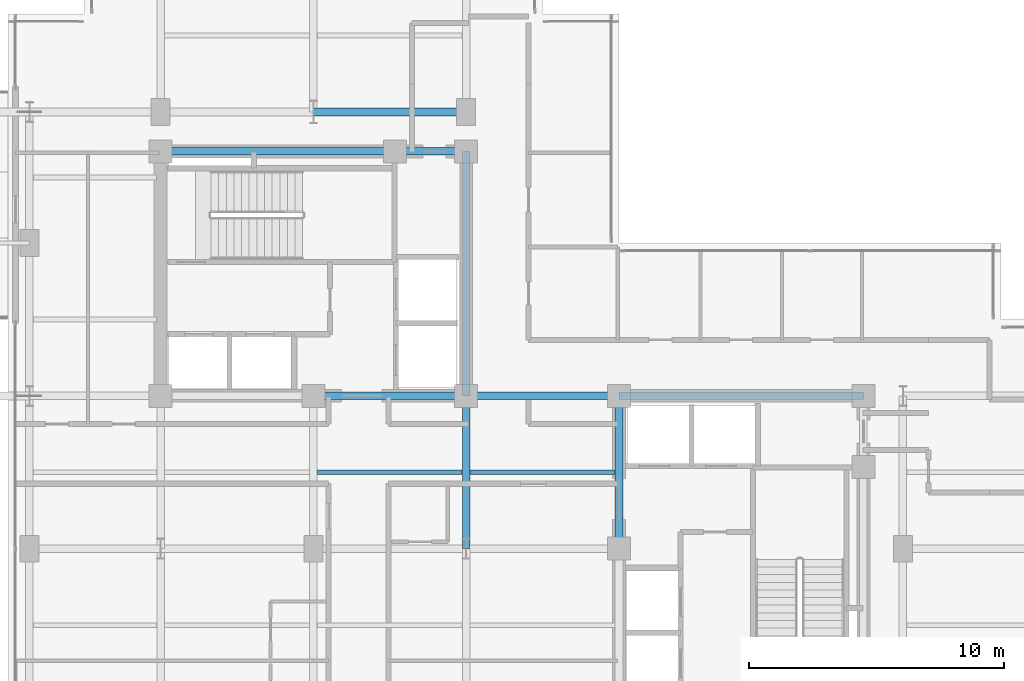
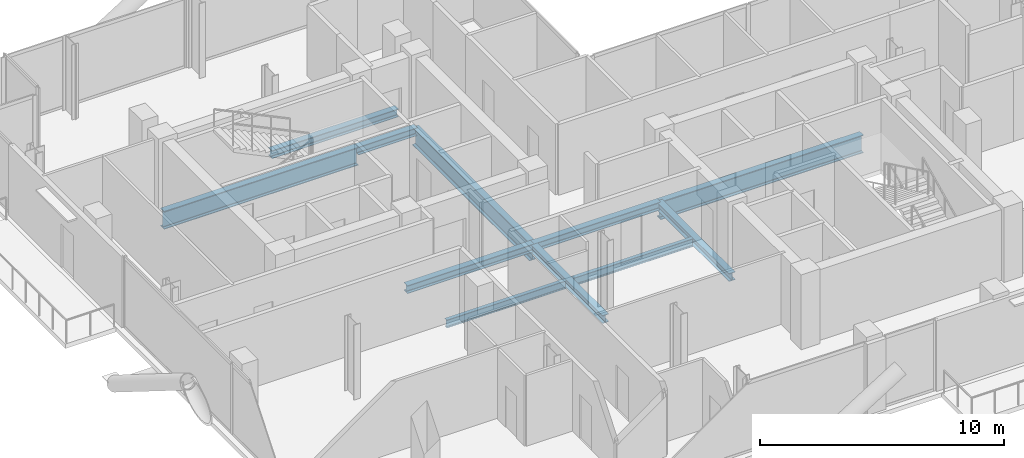
# One storey, part 9 of 25: 11 beams.
"""IFC4 building model written with IfcOpenShell, lengths in metres."""

from ifc_helpers import new_model, si_unit, direction, frame, origin, origin_2d, place, context, subcontext, project, spatial, i_section, extrude, material, material_profile, profile_set, type_object, element, save


model = new_model("IFC4")

# Units and contexts
model_context = context("Model", 3, precision=1e-05, world=origin(), true_north=direction((0.0, 1.0)))
body_context = subcontext(model_context, "Body", "Model", "MODEL_VIEW")
ifc_project = project(units=[si_unit("LENGTHUNIT", "METRE"), si_unit("AREAUNIT", "SQUARE_METRE"), si_unit("VOLUMEUNIT", "CUBIC_METRE"), si_unit("PLANEANGLEUNIT", "RADIAN"), si_unit("MASSUNIT", "GRAM", prefix="KILO"), si_unit("THERMODYNAMICTEMPERATUREUNIT", "KELVIN"), si_unit("POWERUNIT", "WATT")], contexts=[model_context])

# Site, building, storey
site_placement = place(None, origin())
site = spatial("IfcSite", under=ifc_project, at=site_placement, CompositionType="ELEMENT")
building_placement = place(site_placement, origin())
building = spatial("IfcBuilding", under=site, at=building_placement, Name="Svarakhadi Broadcast Tower", CompositionType="ELEMENT")
storey_placement = place(building_placement, frame((0.0, 0.0, 212.39990234375)))
storey = spatial("IfcBuildingStorey", under=building, at=storey_placement, Name="L52", CompositionType="ELEMENT", Elevation=212.39990234375)

# Beams
ifc_material_1 = material(Name="Steel S355J2 (IS 2062 E350C)", Category="steel")
ifc_material_profile_1 = material_profile(ifc_material_1, i_section(OverallWidth=0.179931640625, OverallDepth=0.39990234375, WebThickness=0.008544921875, FlangeThickness=0.013427734375, FilletRadius=0.02099609375, at=origin_2d()), Name="NPB 400x180x66")
ifc_profile_set_1 = profile_set([ifc_material_profile_1], Name="Steel S355J2 (IS 2062 E350C)")
beam_type_1 = type_object("IfcBeamType", Name="Beam_NPB400", PredefinedType="BEAM", material=ifc_profile_set_1)
for number, where, z_axis, x_axis, name in (
    (1, (12.159912109375, 15.0, -0.409912109375), (1.0, 0.0, 0.0), (0.0, 1.0, 0.0), "L52 Secondary Composite Beam SB011"),
    (2, (18.159912109375, 15.0, -0.409912109375), (1.0, 0.0, 0.0), (0.0, 1.0, 0.0), "L52 Secondary Composite Beam SB015"),
):
    element("IfcBeam", number, at=place(storey_placement, frame(where, z_axis=z_axis, x_axis=x_axis)), inside=storey, type_object=beam_type_1, Name=name, PredefinedType="BEAM", context=body_context, shape_type="SweptSolid", body=[
        extrude(i_section(OverallWidth=0.179931640625, OverallDepth=0.39990234375, WebThickness=0.008544921875, FlangeThickness=0.013427734375, FilletRadius=0.02099609375, at=origin_2d()), origin(), (0.0, 0.0, 1.0), 5.68017578125),
    ])
ifc_material_profile_2 = material_profile(ifc_material_1, i_section(OverallWidth=0.300048828125, OverallDepth=0.39990234375, WebThickness=0.013427734375, FlangeThickness=0.02392578125, FilletRadius=0.027099609375, at=origin_2d()), Name="WPB 400x300x155")
ifc_profile_set_2 = profile_set([ifc_material_profile_2], Name="Steel S355J2 (IS 2062 E350C)")
beam_type_2 = type_object("IfcBeamType", Name="Girder_WPB400", PredefinedType="USERDEFINED", material=ifc_profile_set_2)
for number, where, z_axis, x_axis, name in (
    (3, (12.0, 18.0, -0.409912109375), (1.0, 0.0, 0.0), (0.0, 1.0, 0.0), "L52 Primary E-W Girder G022"),
    (4, (18.0, 18.0, -0.409912109375), (1.0, 0.0, 0.0), (0.0, 1.0, 0.0), "L52 Primary E-W Girder G023"),
):
    element("IfcBeam", number, at=place(storey_placement, frame(where, z_axis=z_axis, x_axis=x_axis)), inside=storey, type_object=beam_type_2, Name=name, ObjectType="GIRDER", PredefinedType="USERDEFINED", context=body_context, shape_type="SweptSolid", body=[
        extrude(i_section(OverallWidth=0.300048828125, OverallDepth=0.39990234375, WebThickness=0.013427734375, FlangeThickness=0.02392578125, FilletRadius=0.027099609375, at=origin_2d()), origin(), (0.0, 0.0, 1.0), 6.0),
    ])
beam_1_placement = place(storey_placement, frame((15.199951171875, 27.60009765625, -0.409912109375), z_axis=(1.0, 0.0, 0.0), x_axis=(0.0, 1.0, 0.0)))
element("IfcBeam", 5, at=beam_1_placement, inside=storey, type_object=beam_type_2, Name="L52 Primary E-W Girder G027", ObjectType="GIRDER", PredefinedType="USERDEFINED", context=body_context, shape_type="SweptSolid", body=[
    extrude(i_section(OverallWidth=0.300048828125, OverallDepth=0.39990234375, WebThickness=0.013427734375, FlangeThickness=0.02392578125, FilletRadius=0.027099609375, at=origin_2d()), origin(), (0.0, 0.0, 1.0), 2.800048828125),
])
for number, where, z_axis, x_axis, name in (
    (6, (12.0, 29.14990234375, -0.409912109375), (1.0, 0.0, 0.0), (0.0, 1.0, 0.0), "L52 Primary E-W Girder G030"),
    (7, (18.0, 12.0, -0.409912109375), (0.0, 1.0, 0.0), (-1.0, 0.0, 0.0), "L52 Primary N-S Girder G048"),
    (8, (24.0, 12.0, -0.409912109375), (0.0, 1.0, 0.0), (-1.0, 0.0, 0.0), "L52 Primary N-S Girder G053"),
):
    element("IfcBeam", number, at=place(storey_placement, frame(where, z_axis=z_axis, x_axis=x_axis)), inside=storey, type_object=beam_type_2, Name=name, ObjectType="GIRDER", PredefinedType="USERDEFINED", context=body_context, shape_type="SweptSolid", body=[
        extrude(i_section(OverallWidth=0.300048828125, OverallDepth=0.39990234375, WebThickness=0.013427734375, FlangeThickness=0.02392578125, FilletRadius=0.027099609375, at=origin_2d()), origin(), (0.0, 0.0, 1.0), 6.0),
    ])
ifc_material_2 = material(Name="Steel S460ML (IS 2062 E450BR)", Category="steel")
ifc_material_profile_3 = material_profile(ifc_material_2, i_section(OverallWidth=0.300048828125, OverallDepth=0.89990234375, WebThickness=0.0185546875, FlangeThickness=0.034912109375, FilletRadius=0.030029296875, at=origin_2d()), Name="WPB 900x300x291")
ifc_profile_set_3 = profile_set([ifc_material_profile_3], Name="Steel S460ML (IS 2062 E450BR)")
beam_type_3 = type_object("IfcBeamType", Name="Girder_WPB900", PredefinedType="USERDEFINED", material=ifc_profile_set_3)
beam_2_placement = place(storey_placement, frame((24.0, 18.0, -0.659912109375), z_axis=(1.0, 0.0, 0.0), x_axis=(0.0, 1.0, 0.0)))
element("IfcBeam", 9, at=beam_2_placement, inside=storey, type_object=beam_type_3, Name="L52 Primary E-W Girder G024", ObjectType="GIRDER", PredefinedType="USERDEFINED", context=body_context, shape_type="SweptSolid", body=[
    extrude(i_section(OverallWidth=0.300048828125, OverallDepth=0.89990234375, WebThickness=0.0185546875, FlangeThickness=0.034912109375, FilletRadius=0.030029296875, at=origin_2d()), origin(), (0.0, 0.0, 1.0), 9.60009765625),
])
beam_3_placement = place(storey_placement, frame((6.0, 27.60009765625, -0.659912109375), z_axis=(1.0, 0.0, 0.0), x_axis=(0.0, 1.0, 0.0)))
element("IfcBeam", 10, at=beam_3_placement, inside=storey, type_object=beam_type_3, Name="L52 Primary E-W Girder G026", ObjectType="GIRDER", PredefinedType="USERDEFINED", context=body_context, shape_type="SweptSolid", body=[
    extrude(i_section(OverallWidth=0.300048828125, OverallDepth=0.89990234375, WebThickness=0.0185546875, FlangeThickness=0.034912109375, FilletRadius=0.030029296875, at=origin_2d()), origin(), (0.0, 0.0, 1.0), 9.199951171875),
])
beam_4_placement = place(storey_placement, frame((18.0, 18.0, -0.659912109375), z_axis=(0.0, 1.0, 0.0), x_axis=(-1.0, 0.0, 0.0)))
element("IfcBeam", 11, at=beam_4_placement, inside=storey, type_object=beam_type_3, Name="L52 Primary N-S Girder G049", ObjectType="GIRDER", PredefinedType="USERDEFINED", context=body_context, shape_type="SweptSolid", body=[
    extrude(i_section(OverallWidth=0.300048828125, OverallDepth=0.89990234375, WebThickness=0.0185546875, FlangeThickness=0.034912109375, FilletRadius=0.030029296875, at=origin_2d()), origin(), (0.0, 0.0, 1.0), 9.60009765625),
])

save(model, "model.ifc")
